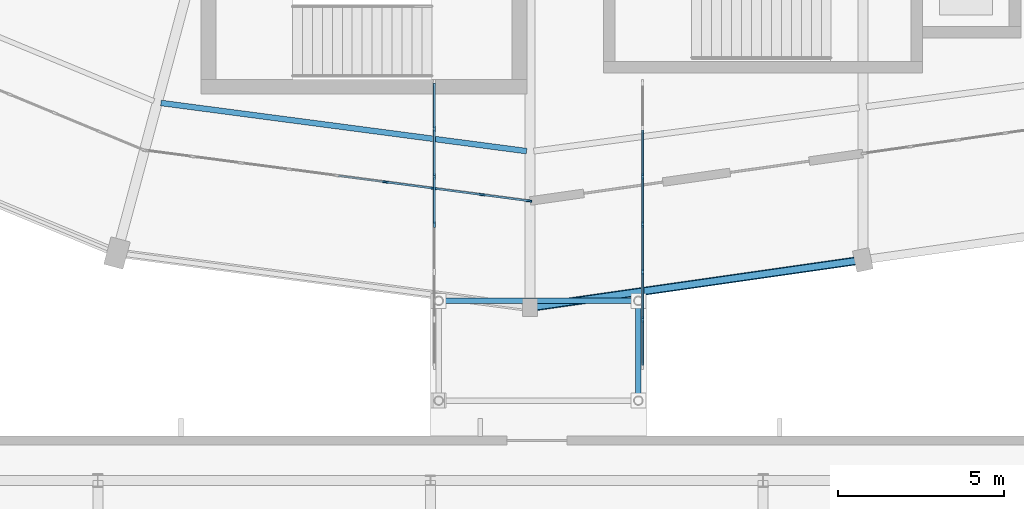
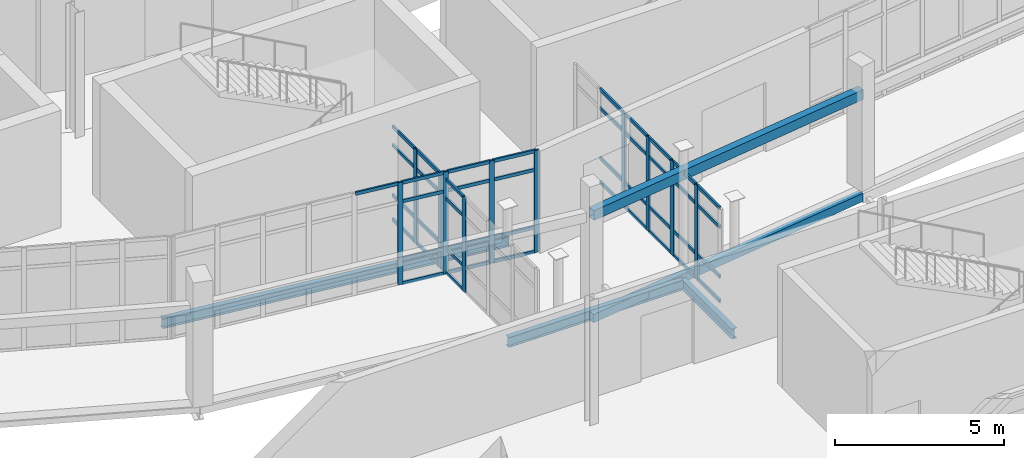
# One storey, part 36 of 122: 56 members, 5 beams, 3 elements without a shape of their own.
"""IFC4 building model written with IfcOpenShell, lengths in metres."""

from ifc_helpers import new_model, si_unit, direction, frame, origin, origin_2d, place, context, subcontext, project, spatial, rectangle, hollow_rectangle, i_section, extrude, material, layer, layer_set, material_profile, profile_set, type_object, element, aggregate, save


model = new_model("IFC4")

# Units and contexts
model_context = context("Model", 3, precision=1e-05, world=origin(), true_north=direction((0.0, 1.0)))
body_context = subcontext(model_context, "Body", "Model", "MODEL_VIEW")
ifc_project = project(units=[si_unit("LENGTHUNIT", "METRE"), si_unit("AREAUNIT", "SQUARE_METRE"), si_unit("VOLUMEUNIT", "CUBIC_METRE"), si_unit("PLANEANGLEUNIT", "RADIAN"), si_unit("MASSUNIT", "GRAM", prefix="KILO")], contexts=[model_context])

# Site, building, storey
site_placement = place(None, origin())
site = spatial("IfcSite", under=ifc_project, at=site_placement, CompositionType="ELEMENT")
building_placement = place(site_placement, origin())
building = spatial("IfcBuilding", under=site, at=building_placement, Name="Sohan Crest Arena", CompositionType="ELEMENT")
storey_placement = place(building_placement, origin())
storey = spatial("IfcBuildingStorey", under=building, at=storey_placement, Name="L00", CompositionType="ELEMENT", Elevation=0.0)

# Curtain wall, members
ifc_material_1 = material(Name="Thermally broken anodised aluminium", Category="aluminium")
ifc_layer_1 = layer(ifc_material_1, 0.179931640625, Name="Thermally broken anodised aluminium")
ifc_layer_set_1 = layer_set([ifc_layer_1], Name="Thermally broken anodised aluminium")
curtain_wall_type_1 = type_object("IfcCurtainWallType", Name="ARC-CW01", PredefinedType="NOTDEFINED", material=ifc_layer_set_1)
curtain_wall_1_placement = place(storey_placement, origin())
curtain_wall_1 = element("IfcCurtainWall", 1, at=curtain_wall_1_placement, inside=storey, type_object=curtain_wall_type_1, Name="Unitised curtain wall CW-007", PredefinedType="NOTDEFINED")
ifc_material_profile_1 = material_profile(ifc_material_1, rectangle(XDim=0.06005859375, YDim=0.159912109375, at=origin_2d()), Name="ALU-MULL 60x160")
ifc_profile_set_1 = profile_set([ifc_material_profile_1], Name="Thermally broken anodised aluminium")
member_type_1 = type_object("IfcMemberType", Name="ARC-CW-ML01", PredefinedType="MULLION", material=ifc_profile_set_1)
member_1_placement = place(storey_placement, frame((93.65185546875, 33.772705078125, 0.0), z_axis=(0.0, 0.0, 1.0), x_axis=(0.13056731648, 0.991439446395, 0.0)))
member_1 = element("IfcMember", 2, at=member_1_placement, type_object=member_type_1, Name="CW-007 mullion 6", PredefinedType="MULLION", context=body_context, shape_type="SweptSolid", body=[
    extrude(rectangle(XDim=0.06005859375, YDim=0.159912109375, at=origin_2d()), origin(), (0.0, 0.0, 1.0), 3.679931640625),
])
member_2_placement = place(storey_placement, frame((95.101318359375, 33.581787109375, 0.0), z_axis=(0.0, 0.0, 1.0), x_axis=(0.13056731648, 0.991439446395, 0.0)))
member_2 = element("IfcMember", 3, at=member_2_placement, type_object=member_type_1, Name="CW-007 mullion 7", PredefinedType="MULLION", context=body_context, shape_type="SweptSolid", body=[
    extrude(rectangle(XDim=0.06005859375, YDim=0.159912109375, at=origin_2d()), origin(), (0.0, 0.0, 1.0), 3.679931640625),
])
member_3_placement = place(storey_placement, frame((96.550537109375, 33.390869140625, 0.0), z_axis=(0.0, 0.0, 1.0), x_axis=(0.13056731648, 0.991439446395, 0.0)))
member_3 = element("IfcMember", 4, at=member_3_placement, type_object=member_type_1, Name="CW-007 mullion 8", PredefinedType="MULLION", context=body_context, shape_type="SweptSolid", body=[
    extrude(rectangle(XDim=0.06005859375, YDim=0.159912109375, at=origin_2d()), origin(), (0.0, 0.0, 1.0), 3.679931640625),
])
member_4_placement = place(storey_placement, frame((97.97021484375, 33.203857421875, 0.0), z_axis=(0.0, 0.0, 1.0), x_axis=(0.13056731648, 0.991439446395, 0.0)))
member_4 = element("IfcMember", 5, at=member_4_placement, type_object=member_type_1, Name="CW-007 mullion 9", PredefinedType="MULLION", context=body_context, shape_type="SweptSolid", body=[
    extrude(rectangle(XDim=0.06005859375, YDim=0.159912109375, at=origin_2d()), origin(), (0.0, 0.0, 1.0), 3.679931640625),
])

ifc_layer_2 = layer(ifc_material_1, 0.18994140625, Name="Thermally broken anodised aluminium")
ifc_layer_set_2 = layer_set([ifc_layer_2], Name="Thermally broken anodised aluminium")
curtain_wall_type_2 = type_object("IfcCurtainWallType", Name="ARC-CW05", PredefinedType="NOTDEFINED", material=ifc_layer_set_2)
curtain_wall_2_placement = place(storey_placement, origin())
curtain_wall_2 = element("IfcCurtainWall", 6, at=curtain_wall_2_placement, inside=storey, type_object=curtain_wall_type_2, Name="Unitised curtain wall CW-247", PredefinedType="NOTDEFINED")
ifc_material_profile_2 = material_profile(ifc_material_1, rectangle(XDim=0.06494140625, YDim=0.179931640625, at=origin_2d()), Name="ALU-MULL 65x180")
ifc_profile_set_2 = profile_set([ifc_material_profile_2], Name="Thermally broken anodised aluminium")
member_type_2 = type_object("IfcMemberType", Name="ARC-CW-ML02", PredefinedType="MULLION", material=ifc_profile_set_2)
member_5_placement = place(storey_placement, frame((95.1201171875, 32.5, 0.0), z_axis=(0.0, 0.0, 1.0), x_axis=(-1.0, 0.0, 0.0)))
member_5 = element("IfcMember", 7, at=member_5_placement, type_object=member_type_2, Name="CW-247 mullion 4", PredefinedType="MULLION", context=body_context, shape_type="SweptSolid", body=[
    extrude(rectangle(XDim=0.06494140625, YDim=0.179931640625, at=origin_2d()), origin(), (0.0, 0.0, 1.0), 3.39990234375),
])
member_6_placement = place(storey_placement, frame((95.1201171875, 33.933349609375, 0.0), z_axis=(0.0, 0.0, 1.0), x_axis=(-1.0, 0.0, 0.0)))
member_6 = element("IfcMember", 8, at=member_6_placement, type_object=member_type_2, Name="CW-247 mullion 5", PredefinedType="MULLION", context=body_context, shape_type="SweptSolid", body=[
    extrude(rectangle(XDim=0.06494140625, YDim=0.179931640625, at=origin_2d()), origin(), (0.0, 0.0, 1.0), 3.39990234375),
])
member_7_placement = place(storey_placement, frame((95.1201171875, 35.36669921875, 0.0), z_axis=(0.0, 0.0, 1.0), x_axis=(-1.0, 0.0, 0.0)))
member_7 = element("IfcMember", 9, at=member_7_placement, type_object=member_type_2, Name="CW-247 mullion 6", PredefinedType="MULLION", context=body_context, shape_type="SweptSolid", body=[
    extrude(rectangle(XDim=0.06494140625, YDim=0.179931640625, at=origin_2d()), origin(), (0.0, 0.0, 1.0), 3.39990234375),
])

curtain_wall_3_placement = place(storey_placement, origin())
curtain_wall_3 = element("IfcCurtainWall", 10, at=curtain_wall_3_placement, inside=storey, type_object=curtain_wall_type_2, Name="Unitised curtain wall CW-248", PredefinedType="NOTDEFINED")
member_8_placement = place(storey_placement, frame((101.3798828125, 29.63330078125, 0.0), z_axis=(0.0, 0.0, 1.0), x_axis=(-1.0, 0.0, 0.0)))
member_8 = element("IfcMember", 11, at=member_8_placement, type_object=member_type_2, Name="CW-248 mullion 2", PredefinedType="MULLION", context=body_context, shape_type="SweptSolid", body=[
    extrude(rectangle(XDim=0.06494140625, YDim=0.179931640625, at=origin_2d()), origin(), (0.0, 0.0, 1.0), 3.39990234375),
])
member_9_placement = place(storey_placement, frame((101.3798828125, 31.066650390625, 0.0), z_axis=(0.0, 0.0, 1.0), x_axis=(-1.0, 0.0, 0.0)))
member_9 = element("IfcMember", 12, at=member_9_placement, type_object=member_type_2, Name="CW-248 mullion 3", PredefinedType="MULLION", context=body_context, shape_type="SweptSolid", body=[
    extrude(rectangle(XDim=0.06494140625, YDim=0.179931640625, at=origin_2d()), origin(), (0.0, 0.0, 1.0), 3.39990234375),
])
member_10_placement = place(storey_placement, frame((101.3798828125, 32.5, 0.0), z_axis=(0.0, 0.0, 1.0), x_axis=(-1.0, 0.0, 0.0)))
member_10 = element("IfcMember", 13, at=member_10_placement, type_object=member_type_2, Name="CW-248 mullion 4", PredefinedType="MULLION", context=body_context, shape_type="SweptSolid", body=[
    extrude(rectangle(XDim=0.06494140625, YDim=0.179931640625, at=origin_2d()), origin(), (0.0, 0.0, 1.0), 3.39990234375),
])
member_11_placement = place(storey_placement, frame((101.3798828125, 33.933349609375, 0.0), z_axis=(0.0, 0.0, 1.0), x_axis=(-1.0, 0.0, 0.0)))
member_11 = element("IfcMember", 14, at=member_11_placement, type_object=member_type_2, Name="CW-248 mullion 5", PredefinedType="MULLION", context=body_context, shape_type="SweptSolid", body=[
    extrude(rectangle(XDim=0.06494140625, YDim=0.179931640625, at=origin_2d()), origin(), (0.0, 0.0, 1.0), 3.39990234375),
])

# Member
ifc_material_profile_3 = material_profile(ifc_material_1, rectangle(XDim=0.06005859375, YDim=0.1201171875, at=origin_2d()), Name="ALU-TRAN 60x120")
ifc_profile_set_3 = profile_set([ifc_material_profile_3], Name="Thermally broken anodised aluminium")
member_type_3 = type_object("IfcMemberType", Name="ARC-CW-TR01", PredefinedType="USERDEFINED", material=ifc_profile_set_3)
member_12_placement = place(storey_placement, frame((92.232177734375, 33.95947265625, 3.64990234375), z_axis=(0.991456073737, -0.130440997581, 0.0), x_axis=(0.130440997581, 0.991456073737, 0.0)))
member_12 = element("IfcMember", 15, at=member_12_placement, type_object=member_type_3, Name="CW-007 transom 5.4", ObjectType="TRANSOM", PredefinedType="USERDEFINED", context=body_context, shape_type="SweptSolid", body=[
    extrude(rectangle(XDim=0.06005859375, YDim=0.1201171875, at=origin_2d()), origin(), (0.0, 0.0, 1.0), 1.40185546875),
])

member_13_placement = place(storey_placement, frame((93.681640625, 33.768798828125, 0.030029296875), z_axis=(0.9914335368, -0.130612182083, 0.0), x_axis=(0.130612182083, 0.9914335368, 0.0)))
member_13 = element("IfcMember", 16, at=member_13_placement, type_object=member_type_3, Name="CW-007 transom 6.1", ObjectType="TRANSOM", PredefinedType="USERDEFINED", context=body_context, shape_type="SweptSolid", body=[
    extrude(rectangle(XDim=0.06005859375, YDim=0.1201171875, at=origin_2d()), origin(), (0.0, 0.0, 1.0), 1.40185546875),
])

member_14_placement = place(storey_placement, frame((93.681640625, 33.768798828125, 0.89990234375), z_axis=(0.9914335368, -0.130612182083, 0.0), x_axis=(0.130612182083, 0.9914335368, 0.0)))
member_14 = element("IfcMember", 17, at=member_14_placement, type_object=member_type_3, Name="CW-007 transom 6.2", ObjectType="TRANSOM", PredefinedType="USERDEFINED", context=body_context, shape_type="SweptSolid", body=[
    extrude(rectangle(XDim=0.06005859375, YDim=0.1201171875, at=origin_2d()), origin(), (0.0, 0.0, 1.0), 1.40185546875),
])

member_15_placement = place(storey_placement, frame((93.681640625, 33.768798828125, 2.97998046875), z_axis=(0.9914335368, -0.130612182083, 0.0), x_axis=(0.130612182083, 0.9914335368, 0.0)))
member_15 = element("IfcMember", 18, at=member_15_placement, type_object=member_type_3, Name="CW-007 transom 6.3", ObjectType="TRANSOM", PredefinedType="USERDEFINED", context=body_context, shape_type="SweptSolid", body=[
    extrude(rectangle(XDim=0.06005859375, YDim=0.1201171875, at=origin_2d()), origin(), (0.0, 0.0, 1.0), 1.40185546875),
])

member_16_placement = place(storey_placement, frame((93.681640625, 33.768798828125, 3.64990234375), z_axis=(0.9914335368, -0.130612182083, 0.0), x_axis=(0.130612182083, 0.9914335368, 0.0)))
member_16 = element("IfcMember", 19, at=member_16_placement, type_object=member_type_3, Name="CW-007 transom 6.4", ObjectType="TRANSOM", PredefinedType="USERDEFINED", context=body_context, shape_type="SweptSolid", body=[
    extrude(rectangle(XDim=0.06005859375, YDim=0.1201171875, at=origin_2d()), origin(), (0.0, 0.0, 1.0), 1.40185546875),
])

member_17_placement = place(storey_placement, frame((95.131103515625, 33.577880859375, 0.030029296875), z_axis=(0.9914335368, -0.130612182083, 0.0), x_axis=(0.130612182083, 0.9914335368, 0.0)))
member_17 = element("IfcMember", 20, at=member_17_placement, type_object=member_type_3, Name="CW-007 transom 7.1", ObjectType="TRANSOM", PredefinedType="USERDEFINED", context=body_context, shape_type="SweptSolid", body=[
    extrude(rectangle(XDim=0.06005859375, YDim=0.1201171875, at=origin_2d()), origin(), (0.0, 0.0, 1.0), 1.40185546875),
])

member_18_placement = place(storey_placement, frame((95.131103515625, 33.577880859375, 0.89990234375), z_axis=(0.9914335368, -0.130612182083, 0.0), x_axis=(0.130612182083, 0.9914335368, 0.0)))
member_18 = element("IfcMember", 21, at=member_18_placement, type_object=member_type_3, Name="CW-007 transom 7.2", ObjectType="TRANSOM", PredefinedType="USERDEFINED", context=body_context, shape_type="SweptSolid", body=[
    extrude(rectangle(XDim=0.06005859375, YDim=0.1201171875, at=origin_2d()), origin(), (0.0, 0.0, 1.0), 1.40185546875),
])

member_19_placement = place(storey_placement, frame((95.131103515625, 33.577880859375, 2.97998046875), z_axis=(0.9914335368, -0.130612182083, 0.0), x_axis=(0.130612182083, 0.9914335368, 0.0)))
member_19 = element("IfcMember", 22, at=member_19_placement, type_object=member_type_3, Name="CW-007 transom 7.3", ObjectType="TRANSOM", PredefinedType="USERDEFINED", context=body_context, shape_type="SweptSolid", body=[
    extrude(rectangle(XDim=0.06005859375, YDim=0.1201171875, at=origin_2d()), origin(), (0.0, 0.0, 1.0), 1.40185546875),
])

member_20_placement = place(storey_placement, frame((95.131103515625, 33.577880859375, 3.64990234375), z_axis=(0.9914335368, -0.130612182083, 0.0), x_axis=(0.130612182083, 0.9914335368, 0.0)))
member_20 = element("IfcMember", 23, at=member_20_placement, type_object=member_type_3, Name="CW-007 transom 7.4", ObjectType="TRANSOM", PredefinedType="USERDEFINED", context=body_context, shape_type="SweptSolid", body=[
    extrude(rectangle(XDim=0.06005859375, YDim=0.1201171875, at=origin_2d()), origin(), (0.0, 0.0, 1.0), 1.40185546875),
])

member_21_placement = place(storey_placement, frame((96.580322265625, 33.386962890625, 0.030029296875), z_axis=(0.991431868961, -0.130624841468, 0.0), x_axis=(0.130624841468, 0.991431868961, 0.0)))
member_21 = element("IfcMember", 24, at=member_21_placement, type_object=member_type_3, Name="CW-007 transom 8.1", ObjectType="TRANSOM", PredefinedType="USERDEFINED", context=body_context, shape_type="SweptSolid", body=[
    extrude(rectangle(XDim=0.06005859375, YDim=0.1201171875, at=origin_2d()), origin(), (0.0, 0.0, 1.0), 1.371826171875),
])

member_22_placement = place(storey_placement, frame((96.580322265625, 33.386962890625, 0.89990234375), z_axis=(0.991431868961, -0.130624841468, 0.0), x_axis=(0.130624841468, 0.991431868961, 0.0)))
member_22 = element("IfcMember", 25, at=member_22_placement, type_object=member_type_3, Name="CW-007 transom 8.2", ObjectType="TRANSOM", PredefinedType="USERDEFINED", context=body_context, shape_type="SweptSolid", body=[
    extrude(rectangle(XDim=0.06005859375, YDim=0.1201171875, at=origin_2d()), origin(), (0.0, 0.0, 1.0), 1.371826171875),
])

member_23_placement = place(storey_placement, frame((96.580322265625, 33.386962890625, 2.97998046875), z_axis=(0.991431868961, -0.130624841468, 0.0), x_axis=(0.130624841468, 0.991431868961, 0.0)))
member_23 = element("IfcMember", 26, at=member_23_placement, type_object=member_type_3, Name="CW-007 transom 8.3", ObjectType="TRANSOM", PredefinedType="USERDEFINED", context=body_context, shape_type="SweptSolid", body=[
    extrude(rectangle(XDim=0.06005859375, YDim=0.1201171875, at=origin_2d()), origin(), (0.0, 0.0, 1.0), 1.371826171875),
])

member_24_placement = place(storey_placement, frame((96.580322265625, 33.386962890625, 3.64990234375), z_axis=(0.991431868961, -0.130624841468, 0.0), x_axis=(0.130624841468, 0.991431868961, 0.0)))
member_24 = element("IfcMember", 27, at=member_24_placement, type_object=member_type_3, Name="CW-007 transom 8.4", ObjectType="TRANSOM", PredefinedType="USERDEFINED", context=body_context, shape_type="SweptSolid", body=[
    extrude(rectangle(XDim=0.06005859375, YDim=0.1201171875, at=origin_2d()), origin(), (0.0, 0.0, 1.0), 1.371826171875),
])

aggregate(curtain_wall_1, [member_1, member_2, member_3, member_4, member_12, member_13, member_14, member_15, member_16, member_17, member_18, member_19, member_20, member_21, member_22, member_23, member_24])

member_25_placement = place(storey_placement, frame((95.1201171875, 32.532470703125, 0.030029296875), z_axis=(0.0, 1.0, 0.0), x_axis=(-1.0, 0.0, 0.0)))
member_25 = element("IfcMember", 28, at=member_25_placement, type_object=member_type_3, Name="CW-247 transom 4.1", ObjectType="TRANSOM", PredefinedType="USERDEFINED", context=body_context, shape_type="SweptSolid", body=[
    extrude(rectangle(XDim=0.06005859375, YDim=0.1201171875, at=origin_2d()), origin(), (0.0, 0.0, 1.0), 1.368408203125),
])

member_26_placement = place(storey_placement, frame((95.1201171875, 32.532470703125, 0.89990234375), z_axis=(0.0, 1.0, 0.0), x_axis=(-1.0, 0.0, 0.0)))
member_26 = element("IfcMember", 29, at=member_26_placement, type_object=member_type_3, Name="CW-247 transom 4.2", ObjectType="TRANSOM", PredefinedType="USERDEFINED", context=body_context, shape_type="SweptSolid", body=[
    extrude(rectangle(XDim=0.06005859375, YDim=0.1201171875, at=origin_2d()), origin(), (0.0, 0.0, 1.0), 1.368408203125),
])

member_27_placement = place(storey_placement, frame((95.1201171875, 32.532470703125, 2.699951171875), z_axis=(0.0, 1.0, 0.0), x_axis=(-1.0, 0.0, 0.0)))
member_27 = element("IfcMember", 30, at=member_27_placement, type_object=member_type_3, Name="CW-247 transom 4.3", ObjectType="TRANSOM", PredefinedType="USERDEFINED", context=body_context, shape_type="SweptSolid", body=[
    extrude(rectangle(XDim=0.06005859375, YDim=0.1201171875, at=origin_2d()), origin(), (0.0, 0.0, 1.0), 1.368408203125),
])

member_28_placement = place(storey_placement, frame((95.1201171875, 32.532470703125, 3.3701171875), z_axis=(0.0, 1.0, 0.0), x_axis=(-1.0, 0.0, 0.0)))
member_28 = element("IfcMember", 31, at=member_28_placement, type_object=member_type_3, Name="CW-247 transom 4.4", ObjectType="TRANSOM", PredefinedType="USERDEFINED", context=body_context, shape_type="SweptSolid", body=[
    extrude(rectangle(XDim=0.06005859375, YDim=0.1201171875, at=origin_2d()), origin(), (0.0, 0.0, 1.0), 1.368408203125),
])

member_29_placement = place(storey_placement, frame((95.1201171875, 33.9658203125, 0.030029296875), z_axis=(0.0, 1.0, 0.0), x_axis=(-1.0, 0.0, 0.0)))
member_29 = element("IfcMember", 32, at=member_29_placement, type_object=member_type_3, Name="CW-247 transom 5.1", ObjectType="TRANSOM", PredefinedType="USERDEFINED", context=body_context, shape_type="SweptSolid", body=[
    extrude(rectangle(XDim=0.06005859375, YDim=0.1201171875, at=origin_2d()), origin(), (0.0, 0.0, 1.0), 1.368408203125),
])

member_30_placement = place(storey_placement, frame((95.1201171875, 33.9658203125, 0.89990234375), z_axis=(0.0, 1.0, 0.0), x_axis=(-1.0, 0.0, 0.0)))
member_30 = element("IfcMember", 33, at=member_30_placement, type_object=member_type_3, Name="CW-247 transom 5.2", ObjectType="TRANSOM", PredefinedType="USERDEFINED", context=body_context, shape_type="SweptSolid", body=[
    extrude(rectangle(XDim=0.06005859375, YDim=0.1201171875, at=origin_2d()), origin(), (0.0, 0.0, 1.0), 1.368408203125),
])

member_31_placement = place(storey_placement, frame((95.1201171875, 33.9658203125, 2.699951171875), z_axis=(0.0, 1.0, 0.0), x_axis=(-1.0, 0.0, 0.0)))
member_31 = element("IfcMember", 34, at=member_31_placement, type_object=member_type_3, Name="CW-247 transom 5.3", ObjectType="TRANSOM", PredefinedType="USERDEFINED", context=body_context, shape_type="SweptSolid", body=[
    extrude(rectangle(XDim=0.06005859375, YDim=0.1201171875, at=origin_2d()), origin(), (0.0, 0.0, 1.0), 1.368408203125),
])

member_32_placement = place(storey_placement, frame((95.1201171875, 33.9658203125, 3.3701171875), z_axis=(0.0, 1.0, 0.0), x_axis=(-1.0, 0.0, 0.0)))
member_32 = element("IfcMember", 35, at=member_32_placement, type_object=member_type_3, Name="CW-247 transom 5.4", ObjectType="TRANSOM", PredefinedType="USERDEFINED", context=body_context, shape_type="SweptSolid", body=[
    extrude(rectangle(XDim=0.06005859375, YDim=0.1201171875, at=origin_2d()), origin(), (0.0, 0.0, 1.0), 1.368408203125),
])

member_33_placement = place(storey_placement, frame((95.1201171875, 35.399169921875, 0.030029296875), z_axis=(0.0, 1.0, 0.0), x_axis=(-1.0, 0.0, 0.0)))
member_33 = element("IfcMember", 36, at=member_33_placement, type_object=member_type_3, Name="CW-247 transom 6.1", ObjectType="TRANSOM", PredefinedType="USERDEFINED", context=body_context, shape_type="SweptSolid", body=[
    extrude(rectangle(XDim=0.06005859375, YDim=0.1201171875, at=origin_2d()), origin(), (0.0, 0.0, 1.0), 1.3359375),
])

member_34_placement = place(storey_placement, frame((95.1201171875, 35.399169921875, 0.89990234375), z_axis=(0.0, 1.0, 0.0), x_axis=(-1.0, 0.0, 0.0)))
member_34 = element("IfcMember", 37, at=member_34_placement, type_object=member_type_3, Name="CW-247 transom 6.2", ObjectType="TRANSOM", PredefinedType="USERDEFINED", context=body_context, shape_type="SweptSolid", body=[
    extrude(rectangle(XDim=0.06005859375, YDim=0.1201171875, at=origin_2d()), origin(), (0.0, 0.0, 1.0), 1.3359375),
])

member_35_placement = place(storey_placement, frame((95.1201171875, 35.399169921875, 2.699951171875), z_axis=(0.0, 1.0, 0.0), x_axis=(-1.0, 0.0, 0.0)))
member_35 = element("IfcMember", 38, at=member_35_placement, type_object=member_type_3, Name="CW-247 transom 6.3", ObjectType="TRANSOM", PredefinedType="USERDEFINED", context=body_context, shape_type="SweptSolid", body=[
    extrude(rectangle(XDim=0.06005859375, YDim=0.1201171875, at=origin_2d()), origin(), (0.0, 0.0, 1.0), 1.3359375),
])

member_36_placement = place(storey_placement, frame((95.1201171875, 35.399169921875, 3.3701171875), z_axis=(0.0, 1.0, 0.0), x_axis=(-1.0, 0.0, 0.0)))
member_36 = element("IfcMember", 39, at=member_36_placement, type_object=member_type_3, Name="CW-247 transom 6.4", ObjectType="TRANSOM", PredefinedType="USERDEFINED", context=body_context, shape_type="SweptSolid", body=[
    extrude(rectangle(XDim=0.06005859375, YDim=0.1201171875, at=origin_2d()), origin(), (0.0, 0.0, 1.0), 1.3359375),
])

aggregate(curtain_wall_2, [member_5, member_6, member_7, member_25, member_26, member_27, member_28, member_29, member_30, member_31, member_32, member_33, member_34, member_35, member_36])

member_37_placement = place(storey_placement, frame((101.3798828125, 28.264892578125, 0.030029296875), z_axis=(0.0, 1.0, 0.0), x_axis=(-1.0, 0.0, 0.0)))
member_37 = element("IfcMember", 40, at=member_37_placement, type_object=member_type_3, Name="CW-248 transom 1.1", ObjectType="TRANSOM", PredefinedType="USERDEFINED", context=body_context, shape_type="SweptSolid", body=[
    extrude(rectangle(XDim=0.06005859375, YDim=0.1201171875, at=origin_2d()), origin(), (0.0, 0.0, 1.0), 1.3359375),
])

member_38_placement = place(storey_placement, frame((101.3798828125, 28.264892578125, 0.89990234375), z_axis=(0.0, 1.0, 0.0), x_axis=(-1.0, 0.0, 0.0)))
member_38 = element("IfcMember", 41, at=member_38_placement, type_object=member_type_3, Name="CW-248 transom 1.2", ObjectType="TRANSOM", PredefinedType="USERDEFINED", context=body_context, shape_type="SweptSolid", body=[
    extrude(rectangle(XDim=0.06005859375, YDim=0.1201171875, at=origin_2d()), origin(), (0.0, 0.0, 1.0), 1.3359375),
])

member_39_placement = place(storey_placement, frame((101.3798828125, 28.264892578125, 2.699951171875), z_axis=(0.0, 1.0, 0.0), x_axis=(-1.0, 0.0, 0.0)))
member_39 = element("IfcMember", 42, at=member_39_placement, type_object=member_type_3, Name="CW-248 transom 1.3", ObjectType="TRANSOM", PredefinedType="USERDEFINED", context=body_context, shape_type="SweptSolid", body=[
    extrude(rectangle(XDim=0.06005859375, YDim=0.1201171875, at=origin_2d()), origin(), (0.0, 0.0, 1.0), 1.3359375),
])

member_40_placement = place(storey_placement, frame((101.3798828125, 28.264892578125, 3.3701171875), z_axis=(0.0, 1.0, 0.0), x_axis=(-1.0, 0.0, 0.0)))
member_40 = element("IfcMember", 43, at=member_40_placement, type_object=member_type_3, Name="CW-248 transom 1.4", ObjectType="TRANSOM", PredefinedType="USERDEFINED", context=body_context, shape_type="SweptSolid", body=[
    extrude(rectangle(XDim=0.06005859375, YDim=0.1201171875, at=origin_2d()), origin(), (0.0, 0.0, 1.0), 1.3359375),
])

member_41_placement = place(storey_placement, frame((101.3798828125, 29.665771484375, 0.030029296875), z_axis=(0.0, 1.0, 0.0), x_axis=(-1.0, 0.0, 0.0)))
member_41 = element("IfcMember", 44, at=member_41_placement, type_object=member_type_3, Name="CW-248 transom 2.1", ObjectType="TRANSOM", PredefinedType="USERDEFINED", context=body_context, shape_type="SweptSolid", body=[
    extrude(rectangle(XDim=0.06005859375, YDim=0.1201171875, at=origin_2d()), origin(), (0.0, 0.0, 1.0), 1.368408203125),
])

member_42_placement = place(storey_placement, frame((101.3798828125, 29.665771484375, 0.89990234375), z_axis=(0.0, 1.0, 0.0), x_axis=(-1.0, 0.0, 0.0)))
member_42 = element("IfcMember", 45, at=member_42_placement, type_object=member_type_3, Name="CW-248 transom 2.2", ObjectType="TRANSOM", PredefinedType="USERDEFINED", context=body_context, shape_type="SweptSolid", body=[
    extrude(rectangle(XDim=0.06005859375, YDim=0.1201171875, at=origin_2d()), origin(), (0.0, 0.0, 1.0), 1.368408203125),
])

member_43_placement = place(storey_placement, frame((101.3798828125, 29.665771484375, 2.699951171875), z_axis=(0.0, 1.0, 0.0), x_axis=(-1.0, 0.0, 0.0)))
member_43 = element("IfcMember", 46, at=member_43_placement, type_object=member_type_3, Name="CW-248 transom 2.3", ObjectType="TRANSOM", PredefinedType="USERDEFINED", context=body_context, shape_type="SweptSolid", body=[
    extrude(rectangle(XDim=0.06005859375, YDim=0.1201171875, at=origin_2d()), origin(), (0.0, 0.0, 1.0), 1.368408203125),
])

member_44_placement = place(storey_placement, frame((101.3798828125, 29.665771484375, 3.3701171875), z_axis=(0.0, 1.0, 0.0), x_axis=(-1.0, 0.0, 0.0)))
member_44 = element("IfcMember", 47, at=member_44_placement, type_object=member_type_3, Name="CW-248 transom 2.4", ObjectType="TRANSOM", PredefinedType="USERDEFINED", context=body_context, shape_type="SweptSolid", body=[
    extrude(rectangle(XDim=0.06005859375, YDim=0.1201171875, at=origin_2d()), origin(), (0.0, 0.0, 1.0), 1.368408203125),
])

member_45_placement = place(storey_placement, frame((101.3798828125, 31.09912109375, 0.030029296875), z_axis=(0.0, 1.0, 0.0), x_axis=(-1.0, 0.0, 0.0)))
member_45 = element("IfcMember", 48, at=member_45_placement, type_object=member_type_3, Name="CW-248 transom 3.1", ObjectType="TRANSOM", PredefinedType="USERDEFINED", context=body_context, shape_type="SweptSolid", body=[
    extrude(rectangle(XDim=0.06005859375, YDim=0.1201171875, at=origin_2d()), origin(), (0.0, 0.0, 1.0), 1.368408203125),
])

member_46_placement = place(storey_placement, frame((101.3798828125, 31.09912109375, 0.89990234375), z_axis=(0.0, 1.0, 0.0), x_axis=(-1.0, 0.0, 0.0)))
member_46 = element("IfcMember", 49, at=member_46_placement, type_object=member_type_3, Name="CW-248 transom 3.2", ObjectType="TRANSOM", PredefinedType="USERDEFINED", context=body_context, shape_type="SweptSolid", body=[
    extrude(rectangle(XDim=0.06005859375, YDim=0.1201171875, at=origin_2d()), origin(), (0.0, 0.0, 1.0), 1.368408203125),
])

member_47_placement = place(storey_placement, frame((101.3798828125, 31.09912109375, 2.699951171875), z_axis=(0.0, 1.0, 0.0), x_axis=(-1.0, 0.0, 0.0)))
member_47 = element("IfcMember", 50, at=member_47_placement, type_object=member_type_3, Name="CW-248 transom 3.3", ObjectType="TRANSOM", PredefinedType="USERDEFINED", context=body_context, shape_type="SweptSolid", body=[
    extrude(rectangle(XDim=0.06005859375, YDim=0.1201171875, at=origin_2d()), origin(), (0.0, 0.0, 1.0), 1.368408203125),
])

member_48_placement = place(storey_placement, frame((101.3798828125, 31.09912109375, 3.3701171875), z_axis=(0.0, 1.0, 0.0), x_axis=(-1.0, 0.0, 0.0)))
member_48 = element("IfcMember", 51, at=member_48_placement, type_object=member_type_3, Name="CW-248 transom 3.4", ObjectType="TRANSOM", PredefinedType="USERDEFINED", context=body_context, shape_type="SweptSolid", body=[
    extrude(rectangle(XDim=0.06005859375, YDim=0.1201171875, at=origin_2d()), origin(), (0.0, 0.0, 1.0), 1.368408203125),
])

member_49_placement = place(storey_placement, frame((101.3798828125, 32.532470703125, 0.030029296875), z_axis=(0.0, 1.0, 0.0), x_axis=(-1.0, 0.0, 0.0)))
member_49 = element("IfcMember", 52, at=member_49_placement, type_object=member_type_3, Name="CW-248 transom 4.1", ObjectType="TRANSOM", PredefinedType="USERDEFINED", context=body_context, shape_type="SweptSolid", body=[
    extrude(rectangle(XDim=0.06005859375, YDim=0.1201171875, at=origin_2d()), origin(), (0.0, 0.0, 1.0), 1.368408203125),
])

member_50_placement = place(storey_placement, frame((101.3798828125, 32.532470703125, 0.89990234375), z_axis=(0.0, 1.0, 0.0), x_axis=(-1.0, 0.0, 0.0)))
member_50 = element("IfcMember", 53, at=member_50_placement, type_object=member_type_3, Name="CW-248 transom 4.2", ObjectType="TRANSOM", PredefinedType="USERDEFINED", context=body_context, shape_type="SweptSolid", body=[
    extrude(rectangle(XDim=0.06005859375, YDim=0.1201171875, at=origin_2d()), origin(), (0.0, 0.0, 1.0), 1.368408203125),
])

member_51_placement = place(storey_placement, frame((101.3798828125, 32.532470703125, 2.699951171875), z_axis=(0.0, 1.0, 0.0), x_axis=(-1.0, 0.0, 0.0)))
member_51 = element("IfcMember", 54, at=member_51_placement, type_object=member_type_3, Name="CW-248 transom 4.3", ObjectType="TRANSOM", PredefinedType="USERDEFINED", context=body_context, shape_type="SweptSolid", body=[
    extrude(rectangle(XDim=0.06005859375, YDim=0.1201171875, at=origin_2d()), origin(), (0.0, 0.0, 1.0), 1.368408203125),
])

member_52_placement = place(storey_placement, frame((101.3798828125, 32.532470703125, 3.3701171875), z_axis=(0.0, 1.0, 0.0), x_axis=(-1.0, 0.0, 0.0)))
member_52 = element("IfcMember", 55, at=member_52_placement, type_object=member_type_3, Name="CW-248 transom 4.4", ObjectType="TRANSOM", PredefinedType="USERDEFINED", context=body_context, shape_type="SweptSolid", body=[
    extrude(rectangle(XDim=0.06005859375, YDim=0.1201171875, at=origin_2d()), origin(), (0.0, 0.0, 1.0), 1.368408203125),
])

member_53_placement = place(storey_placement, frame((101.3798828125, 33.9658203125, 0.030029296875), z_axis=(0.0, 1.0, 0.0), x_axis=(-1.0, 0.0, 0.0)))
member_53 = element("IfcMember", 56, at=member_53_placement, type_object=member_type_3, Name="CW-248 transom 5.1", ObjectType="TRANSOM", PredefinedType="USERDEFINED", context=body_context, shape_type="SweptSolid", body=[
    extrude(rectangle(XDim=0.06005859375, YDim=0.1201171875, at=origin_2d()), origin(), (0.0, 0.0, 1.0), 1.368408203125),
])

member_54_placement = place(storey_placement, frame((101.3798828125, 33.9658203125, 0.89990234375), z_axis=(0.0, 1.0, 0.0), x_axis=(-1.0, 0.0, 0.0)))
member_54 = element("IfcMember", 57, at=member_54_placement, type_object=member_type_3, Name="CW-248 transom 5.2", ObjectType="TRANSOM", PredefinedType="USERDEFINED", context=body_context, shape_type="SweptSolid", body=[
    extrude(rectangle(XDim=0.06005859375, YDim=0.1201171875, at=origin_2d()), origin(), (0.0, 0.0, 1.0), 1.368408203125),
])

member_55_placement = place(storey_placement, frame((101.3798828125, 33.9658203125, 2.699951171875), z_axis=(0.0, 1.0, 0.0), x_axis=(-1.0, 0.0, 0.0)))
member_55 = element("IfcMember", 58, at=member_55_placement, type_object=member_type_3, Name="CW-248 transom 5.3", ObjectType="TRANSOM", PredefinedType="USERDEFINED", context=body_context, shape_type="SweptSolid", body=[
    extrude(rectangle(XDim=0.06005859375, YDim=0.1201171875, at=origin_2d()), origin(), (0.0, 0.0, 1.0), 1.368408203125),
])

member_56_placement = place(storey_placement, frame((101.3798828125, 33.9658203125, 3.3701171875), z_axis=(0.0, 1.0, 0.0), x_axis=(-1.0, 0.0, 0.0)))
member_56 = element("IfcMember", 59, at=member_56_placement, type_object=member_type_3, Name="CW-248 transom 5.4", ObjectType="TRANSOM", PredefinedType="USERDEFINED", context=body_context, shape_type="SweptSolid", body=[
    extrude(rectangle(XDim=0.06005859375, YDim=0.1201171875, at=origin_2d()), origin(), (0.0, 0.0, 1.0), 1.368408203125),
])

aggregate(curtain_wall_3, [member_8, member_9, member_10, member_11, member_37, member_38, member_39, member_40, member_41, member_42, member_43, member_44, member_45, member_46, member_47, member_48, member_49, member_50, member_51, member_52, member_53, member_54, member_55, member_56])

# Beams
ifc_material_2 = material(Name="Steel S355", Category="steel")
ifc_material_profile_4 = material_profile(ifc_material_2, i_section(OverallWidth=0.169921875, OverallDepth=0.360107421875, WebThickness=0.008056640625, FlangeThickness=0.0126953125, at=origin_2d()), Name="IPE 360")
ifc_profile_set_4 = profile_set([ifc_material_profile_4], Name="Steel S355")
beam_type_1 = type_object("IfcBeamType", Name="STR-BM-B02", PredefinedType="JOIST", material=ifc_profile_set_4)
beam_1_placement = place(storey_placement, frame((86.89892578125, 36.14794921875, -0.455078125), z_axis=(0.991434947697, -0.130601471988, 0.0), x_axis=(0.130601471988, 0.991434947697, 0.0)))
element("IfcBeam", 60, at=beam_1_placement, inside=storey, type_object=beam_type_1, Name="Structural beam J-L00-0960", PredefinedType="JOIST", context=body_context, shape_type="SweptSolid", body=[
    extrude(i_section(OverallWidth=0.169921875, OverallDepth=0.360107421875, WebThickness=0.008056640625, FlangeThickness=0.0126953125, at=origin_2d()), origin(), (0.0, 0.0, 1.0), 11.087158203125),
])
beam_2_placement = place(storey_placement, frame((101.25, 27.199951171875, -0.455078125), z_axis=(0.0, 1.0, 0.0), x_axis=(-1.0, 0.0, 0.0)))
element("IfcBeam", 61, at=beam_2_placement, inside=storey, type_object=beam_type_1, Name="Structural beam BG-L00-2985", PredefinedType="JOIST", context=body_context, shape_type="SweptSolid", body=[
    extrude(i_section(OverallWidth=0.169921875, OverallDepth=0.360107421875, WebThickness=0.008056640625, FlangeThickness=0.0126953125, at=origin_2d()), origin(), (0.0, 0.0, 1.0), 3.0),
])
beam_3_placement = place(storey_placement, frame((95.25, 30.199951171875, -0.455078125), z_axis=(1.0, 0.0, 0.0), x_axis=(0.0, 1.0, 0.0)))
element("IfcBeam", 62, at=beam_3_placement, inside=storey, type_object=beam_type_1, Name="Structural beam BG-L00-2987", PredefinedType="JOIST", context=body_context, shape_type="SweptSolid", body=[
    extrude(i_section(OverallWidth=0.169921875, OverallDepth=0.360107421875, WebThickness=0.008056640625, FlangeThickness=0.0126953125, at=origin_2d()), origin(), (0.0, 0.0, 1.0), 6.0),
])
ifc_material_profile_5 = material_profile(ifc_material_2, hollow_rectangle(XDim=0.199951171875, YDim=0.300048828125, WallThickness=0.010009765625, at=origin_2d()), Name="RHS 300x200x10")
ifc_profile_set_5 = profile_set([ifc_material_profile_5], Name="Steel S355")
beam_type_2 = type_object("IfcBeamType", Name="STR-BM-SP03", PredefinedType="SPANDREL", material=ifc_profile_set_5)
beam_4_placement = place(storey_placement, frame((98.0, 30.0, -0.425048828125), z_axis=(0.989944175879, 0.141458575718, 0.0), x_axis=(-0.141458575718, 0.989944175879, 0.0)))
element("IfcBeam", 63, at=beam_4_placement, inside=storey, type_object=beam_type_2, Name="Structural beam SP-L00-0963", PredefinedType="SPANDREL", context=body_context, shape_type="SweptSolid", body=[
    extrude(hollow_rectangle(XDim=0.199951171875, YDim=0.300048828125, WallThickness=0.010009765625, at=origin_2d()), origin(), (0.0, 0.0, 1.0), 10.1015625),
])
ifc_material_profile_6 = material_profile(ifc_material_2, hollow_rectangle(XDim=0.25, YDim=0.35009765625, WallThickness=0.012451171875, at=origin_2d()), Name="RHS 350x250x12.5")
ifc_profile_set_6 = profile_set([ifc_material_profile_6], Name="Steel S355")
beam_type_3 = type_object("IfcBeamType", Name="STR-BM-SP04", PredefinedType="SPANDREL", material=ifc_profile_set_6)
beam_5_placement = place(storey_placement, frame((98.0, 30.0, 3.300048828125), z_axis=(0.989944175879, 0.141458575718, 0.0), x_axis=(-0.141458575718, 0.989944175879, 0.0)))
element("IfcBeam", 64, at=beam_5_placement, inside=storey, type_object=beam_type_3, Name="Structural beam ARC-L00-0964", PredefinedType="SPANDREL", context=body_context, shape_type="SweptSolid", body=[
    extrude(hollow_rectangle(XDim=0.25, YDim=0.35009765625, WallThickness=0.012451171875, at=origin_2d()), origin(), (0.0, 0.0, 1.0), 10.1015625),
])

save(model, "model.ifc")
